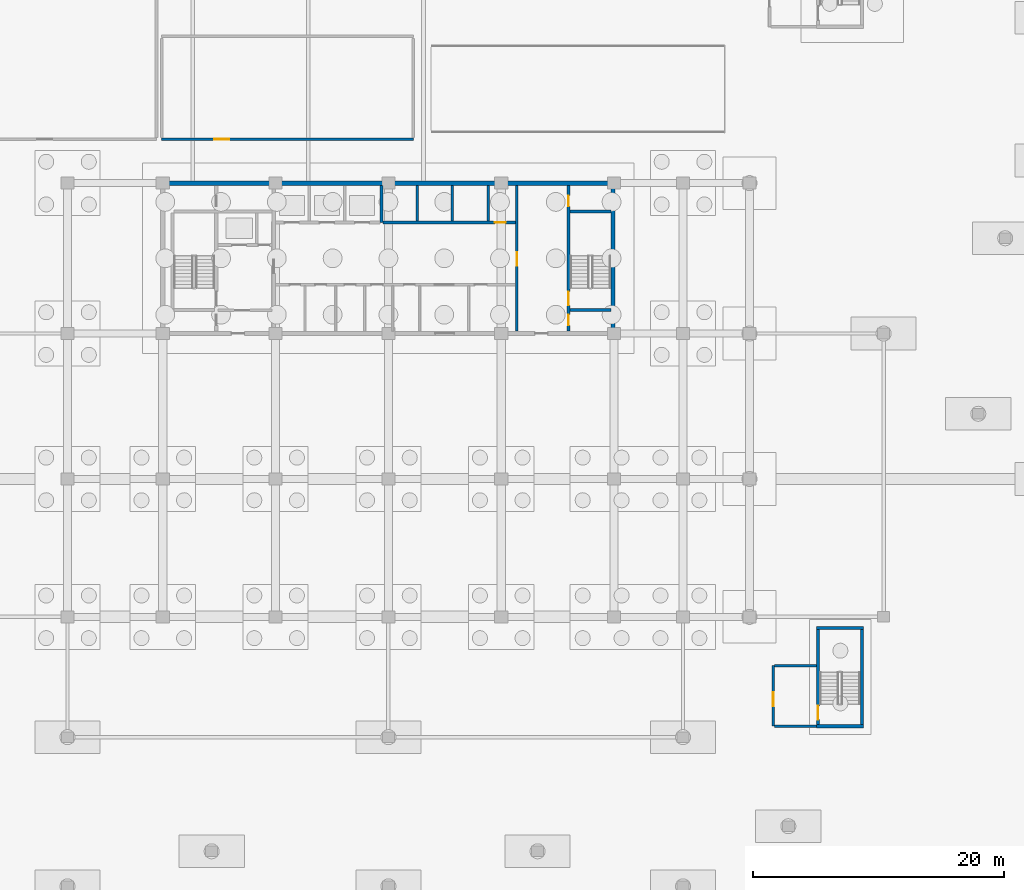
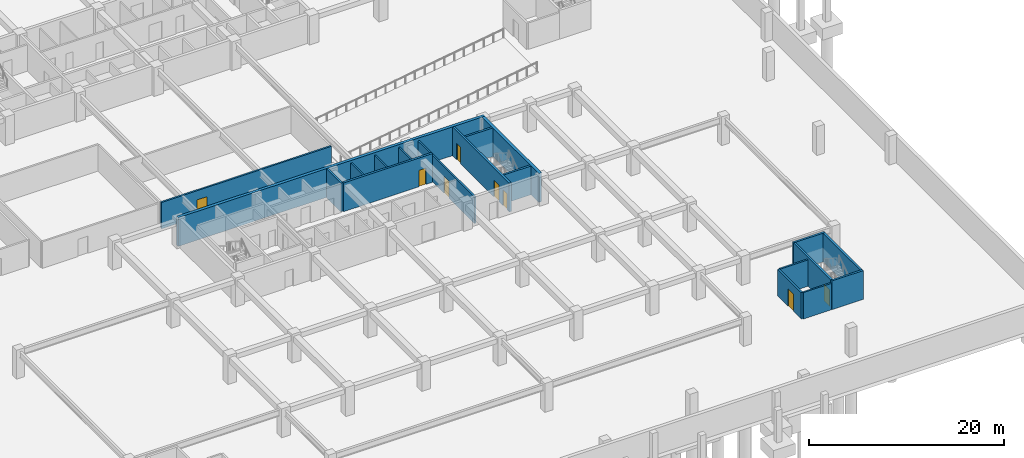
# One storey, part 11 of 26: 19 walls, 8 doors, 8 openings.
"""IFC4 building model written with IfcOpenShell, lengths in metres."""

from ifc_helpers import new_model, si_unit, direction, frame, frame_2d, origin, place, context, subcontext, project, spatial, rectangle, extrude, material, layer, layer_set, type_object, element, fill, save


model = new_model("IFC4")

# Units and contexts
model_context = context("Model", 3, precision=1e-05, world=origin(), true_north=direction((0.0, 1.0)))
body_context = subcontext(model_context, "Body", "Model", "MODEL_VIEW")
ifc_project = project(units=[si_unit("LENGTHUNIT", "METRE"), si_unit("AREAUNIT", "SQUARE_METRE"), si_unit("VOLUMEUNIT", "CUBIC_METRE"), si_unit("PLANEANGLEUNIT", "RADIAN"), si_unit("MASSUNIT", "GRAM", prefix="KILO")], contexts=[model_context])

# Site, building, storey
site_placement = place(None, origin())
site = spatial("IfcSite", under=ifc_project, at=site_placement, CompositionType="ELEMENT")
building_placement = place(site_placement, origin())
building = spatial("IfcBuilding", under=site, at=building_placement, Name="Korimba Cascade Residences", CompositionType="ELEMENT")
storey_placement = place(building_placement, frame((0.0, 0.0, -10.800048828125)))
storey = spatial("IfcBuildingStorey", under=building, at=storey_placement, Name="B03", CompositionType="ELEMENT", Elevation=-10.800048828125)

# Walls
ifc_material_1 = material(Name="Concrete C65/80", Category="concrete")
ifc_layer_1 = layer(ifc_material_1, 0.35009765625)
ifc_layer_set_1 = layer_set([ifc_layer_1], Name="Concrete C65/80")
wall_type_1 = type_object("IfcWallType", Name="WAL-CORE-350", PredefinedType="SHEAR", material=ifc_layer_set_1)
wall_1_placement = place(storey_placement, frame((81.925048828125, 30.39990234375, 0.0), z_axis=(0.0, 0.0, 1.0), x_axis=(1.0, 0.0, 0.0)))
element("IfcWall", 1, at=wall_1_placement, inside=storey, type_object=wall_type_1, Name="B03 Core Shear Wall CW-B03-T2-N", PredefinedType="SHEAR", context=body_context, shape_type="SweptSolid", body=[
    extrude(rectangle(XDim=36.264892578125, YDim=0.35009765625, at=frame_2d((18.13232421875, 0.0))), origin(), (0.0, 0.0, 1.0), 3.60009765625),
])
wall_2_placement = place(storey_placement, frame((118.014892578125, 18.574951171875, 0.0), z_axis=(0.0, 0.0, 1.0), x_axis=(0.0, 1.0, 0.0)))
element("IfcWall", 2, at=wall_2_placement, inside=storey, type_object=wall_type_1, Name="B03 Core Shear Wall CW-B03-T2-E", PredefinedType="SHEAR", context=body_context, shape_type="SweptSolid", body=[
    extrude(rectangle(XDim=11.650146484375, YDim=0.35009765625, at=frame_2d((5.8251953125, 0.0))), origin(), (0.0, 0.0, 1.0), 3.60009765625),
])
ifc_material_2 = material(Name="Concrete C40/50", Category="concrete")
ifc_layer_2 = layer(ifc_material_2, 0.199951171875)
ifc_layer_set_2 = layer_set([ifc_layer_2], Name="Concrete C40/50")
wall_type_2 = type_object("IfcWallType", Name="WAL-PART-200", PredefinedType="PARTITIONING", material=ifc_layer_set_2)
for number, where, z_axis, x_axis, name in (
    (3, (102.39990234375, 27.3798828125, 0.0), (0.0, 0.0, 1.0), (0.0, 1.0, 0.0), "B03 Partition Wall CW-B03-T2-B2D1"),
    (4, (105.199951171875, 27.3798828125, 0.0), (0.0, 0.0, 1.0), (0.0, 1.0, 0.0), "B03 Partition Wall CW-B03-T2-B2D2"),
    (5, (108.050048828125, 27.3798828125, 0.0), (0.0, 0.0, 1.0), (0.0, 1.0, 0.0), "B03 Partition Wall CW-B03-T2-B2D3"),
):
    element("IfcWall", number, at=place(storey_placement, frame(where, z_axis=z_axis, x_axis=x_axis)), inside=storey, type_object=wall_type_2, Name=name, PredefinedType="PARTITIONING", context=body_context, shape_type="SweptSolid", body=[
        extrude(rectangle(XDim=2.820068359375, YDim=0.199951171875, at=frame_2d((1.41015625, 0.0))), origin(), (0.0, 0.0, 1.0), 3.300048828125),
    ])

# Wall, opening, door
wall_3_placement = place(storey_placement, frame((110.35009765625, 18.60009765625, 0.0), z_axis=(0.0, 0.0, 1.0), x_axis=(0.0, 1.0, 0.0)))
wall_3 = element("IfcWall", 6, at=wall_3_placement, inside=storey, type_object=wall_type_2, Name="B03 Partition Wall CW-B03-T2-LLEV", PredefinedType="PARTITIONING", context=body_context, shape_type="SweptSolid", body=[
    extrude(rectangle(XDim=11.599853515625, YDim=0.199951171875, at=frame_2d((5.7998046875, 0.0))), origin(), (0.0, 0.0, 1.0), 3.300048828125),
])
opening_1_placement = place(wall_3_placement, frame((5.199951171875, 0.0, 0.0)))
opening_1 = element("IfcOpeningElement", 7, at=opening_1_placement, cuts=wall_3, Name="Opening D-FD6", PredefinedType="OPENING", context=body_context, shape_type="SweptSolid", body=[
    extrude(rectangle(XDim=1.10009765625, YDim=2.14990234375, at=frame_2d((0.550048828125, 1.074951171875))), frame((0.0, 0.10986328125, 0.0), z_axis=(0.0, -1.0, 0.0), x_axis=(1.0, 0.0, 0.0)), (0.0, 0.0, 1.0), 0.219970703125),
])
ifc_material_3 = material(Name="Fire-Rated Timber Stair Lobby Door", Category="wood")
door_type_1 = type_object("IfcDoorType", Name="DR-FD90-1100", OperationType="NOTDEFINED", PredefinedType="DOOR", material=ifc_material_3)
door_1_placement = place(opening_1_placement, origin())
door_1 = element("IfcDoor", 8, at=door_1_placement, inside=storey, type_object=door_type_1, Name="B03 T2 Lift Lobby to East Stair Lobby Door", OperationType="SINGLE_SWING_LEFT", OverallHeight=2.14990234375, OverallWidth=1.10009765625, PredefinedType="DOOR", context=body_context, shape_type="SweptSolid", body=[
    extrude(rectangle(XDim=1.10009765625, YDim=2.14990234375, at=frame_2d((0.550048828125, 1.074951171875))), frame((0.0, 0.02490234375, 0.0), z_axis=(0.0, -1.0, 0.0), x_axis=(1.0, 0.0, 0.0)), (0.0, 0.0, 1.0), 0.050048828125),
])
fill(opening_1, door_1)

wall_4_placement = place(storey_placement, frame((130.800048828125, -12.925048828125, 0.0), z_axis=(0.0, 0.0, 1.0), x_axis=(0.0, 1.0, 0.0)))
wall_4 = element("IfcWall", 9, at=wall_4_placement, inside=storey, type_object=wall_type_2, Name="B03 Partition Wall CW-B03-PL6W", PredefinedType="PARTITIONING", context=body_context, shape_type="SweptSolid", body=[
    extrude(rectangle(XDim=4.824951171875, YDim=0.199951171875, at=frame_2d((2.41259765625, 0.0))), origin(), (0.0, 0.0, 1.0), 3.300048828125),
])
opening_2_placement = place(wall_4_placement, frame((1.60009765625, 0.0, 0.0)))
opening_2 = element("IfcOpeningElement", 10, at=opening_2_placement, cuts=wall_4, Name="Opening D-FD6", PredefinedType="OPENING", context=body_context, shape_type="SweptSolid", body=[
    extrude(rectangle(XDim=1.10009765625, YDim=2.14990234375, at=frame_2d((0.550048828125, 1.074951171875))), frame((0.0, 0.10986328125, 0.0), z_axis=(0.0, -1.0, 0.0), x_axis=(1.0, 0.0, 0.0)), (0.0, 0.0, 1.0), 0.219970703125),
])
door_2_placement = place(opening_2_placement, origin())
door_2 = element("IfcDoor", 11, at=door_2_placement, inside=storey, type_object=door_type_1, Name="B03 South-East Stair Vestibule Door", OperationType="SINGLE_SWING_RIGHT", OverallHeight=2.14990234375, OverallWidth=1.10009765625, PredefinedType="DOOR", context=body_context, shape_type="SweptSolid", body=[
    extrude(rectangle(XDim=1.10009765625, YDim=2.14990234375, at=frame_2d((0.550048828125, 1.074951171875))), frame((0.0, 0.02490234375, 0.0), z_axis=(0.0, -1.0, 0.0), x_axis=(1.0, 0.0, 0.0)), (0.0, 0.0, 1.0), 0.050048828125),
])
fill(opening_2, door_2)

# Walls
for number, where, z_axis, x_axis, name in (
    (12, (130.89990234375, -12.925048828125, 0.0), (0.0, 0.0, 1.0), (1.0, 0.0, 0.0), "B03 Partition Wall CW-B03-PL6S"),
    (13, (130.89990234375, -8.10009765625, 0.0), (0.0, 0.0, 1.0), (1.0, 0.0, 0.0), "B03 Partition Wall CW-B03-PL6N"),
):
    element("IfcWall", number, at=place(storey_placement, frame(where, z_axis=z_axis, x_axis=x_axis)), inside=storey, type_object=wall_type_2, Name=name, PredefinedType="PARTITIONING", context=body_context, shape_type="SweptSolid", body=[
        extrude(rectangle(XDim=3.35009765625, YDim=0.199951171875, at=frame_2d((1.675048828125, 0.0))), origin(), (0.0, 0.0, 1.0), 3.300048828125),
    ])

# Wall, opening, door
wall_5_placement = place(storey_placement, frame((82.0, 33.89990234375, 0.0), z_axis=(0.0, 0.0, 1.0), x_axis=(1.0, 0.0, 0.0)))
wall_5 = element("IfcWall", 14, at=wall_5_placement, inside=storey, type_object=wall_type_2, Name="B03 Partition Wall WAL-B03-HVSS", PredefinedType="PARTITIONING", context=body_context, shape_type="SweptSolid", body=[
    extrude(rectangle(XDim=20.10009765625, YDim=0.199951171875, at=frame_2d((10.050048828125, 0.0))), origin(), (0.0, 0.0, 1.0), 3.300048828125),
])
opening_3_placement = place(wall_5_placement, frame((4.199951171875, 0.0, 0.0)))
opening_3 = element("IfcOpeningElement", 15, at=opening_3_placement, cuts=wall_5, Name="Opening D-FD3", PredefinedType="OPENING", context=body_context, shape_type="SweptSolid", body=[
    extrude(rectangle(XDim=1.199951171875, YDim=2.14990234375, at=frame_2d((0.60009765625, 1.074951171875))), frame((0.0, 0.10986328125, 0.0), z_axis=(0.0, -1.0, 0.0), x_axis=(1.0, 0.0, 0.0)), (0.0, 0.0, 1.0), 0.219970703125),
])
ifc_material_4 = material(Name="Fire-Rated Steel Plant Door", Category="steel")
door_type_2 = type_object("IfcDoorType", Name="DR-FD120-1200", OperationType="NOTDEFINED", PredefinedType="DOOR", material=ifc_material_4)
door_3_placement = place(opening_3_placement, origin())
door_3 = element("IfcDoor", 16, at=door_3_placement, inside=storey, type_object=door_type_2, Name="B03 Switchroom Door", OperationType="SINGLE_SWING_RIGHT", OverallHeight=2.14990234375, OverallWidth=1.199951171875, PredefinedType="DOOR", context=body_context, shape_type="SweptSolid", body=[
    extrude(rectangle(XDim=1.199951171875, YDim=2.14990234375, at=frame_2d((0.60009765625, 1.074951171875))), frame((0.0, 0.02490234375, 0.0), z_axis=(0.0, -1.0, 0.0), x_axis=(1.0, 0.0, 0.0)), (0.0, 0.0, 1.0), 0.050048828125),
])
fill(opening_3, door_3)

# Wall
ifc_material_5 = material(Name="Concrete C50/60", Category="concrete")
ifc_layer_3 = layer(ifc_material_5, 0.25)
ifc_layer_set_3 = layer_set([ifc_layer_3], Name="Concrete C50/60")
wall_type_3 = type_object("IfcWallType", Name="WAL-SHAFT-250", PredefinedType="SHEAR", material=ifc_layer_set_3)
wall_6_placement = place(storey_placement, frame((99.550048828125, 27.25, 0.0), z_axis=(0.0, 0.0, 1.0), x_axis=(0.0, 1.0, 0.0)))
element("IfcWall", 17, at=wall_6_placement, inside=storey, type_object=wall_type_3, Name="B03 Core Shear Wall CW-B03-T2-B12DIV", PredefinedType="SHEAR", context=body_context, shape_type="SweptSolid", body=[
    extrude(rectangle(XDim=2.949951171875, YDim=0.25, at=frame_2d((1.47509765625, 0.0))), origin(), (0.0, 0.0, 1.0), 3.60009765625),
])

# Wall, opening, door
wall_7_placement = place(storey_placement, frame((99.679931640625, 27.25, 0.0), z_axis=(0.0, 0.0, 1.0), x_axis=(1.0, 0.0, 0.0)))
wall_7 = element("IfcWall", 18, at=wall_7_placement, inside=storey, type_object=wall_type_3, Name="B03 Core Shear Wall CW-B03-T2-B2S", PredefinedType="SHEAR", context=body_context, shape_type="SweptSolid", body=[
    extrude(rectangle(XDim=10.5400390625, YDim=0.25, at=frame_2d((5.27001953125, 0.0))), origin(), (0.0, 0.0, 1.0), 3.60009765625),
])
opening_4_placement = place(wall_7_placement, frame((8.919921875, 0.0, 0.0)))
opening_4 = element("IfcOpeningElement", 19, at=opening_4_placement, cuts=wall_7, Name="Opening D-RS1", PredefinedType="OPENING", context=body_context, shape_type="SweptSolid", body=[
    extrude(rectangle(XDim=0.85009765625, YDim=2.050048828125, at=frame_2d((0.425048828125, 1.02490234375))), frame((0.0, 0.135009765625, 0.0), z_axis=(0.0, -1.0, 0.0), x_axis=(1.0, 0.0, 0.0)), (0.0, 0.0, 1.0), 0.27001953125),
])
ifc_material_6 = material(Name="Fire-Rated Steel Riser Access Door", Category="steel")
door_type_3 = type_object("IfcDoorType", Name="DR-FD60-850", OperationType="NOTDEFINED", PredefinedType="DOOR", material=ifc_material_6)
door_4_placement = place(opening_4_placement, origin())
door_4 = element("IfcDoor", 20, at=door_4_placement, inside=storey, type_object=door_type_3, Name="B03 T2 Duct Door", OperationType="SINGLE_SWING_RIGHT", OverallHeight=2.050048828125, OverallWidth=0.85009765625, PredefinedType="DOOR", context=body_context, shape_type="SweptSolid", body=[
    extrude(rectangle(XDim=0.85009765625, YDim=2.050048828125, at=frame_2d((0.425048828125, 1.02490234375))), frame((0.0, 0.02490234375, 0.0), z_axis=(0.0, -1.0, 0.0), x_axis=(1.0, 0.0, 0.0)), (0.0, 0.0, 1.0), 0.050048828125),
])
fill(opening_4, door_4)

# Wall, openings, doors
wall_8_placement = place(storey_placement, frame((114.47509765625, 18.60009765625, 0.0), z_axis=(0.0, 0.0, 1.0), x_axis=(0.0, 1.0, 0.0)))
wall_8 = element("IfcWall", 21, at=wall_8_placement, inside=storey, type_object=wall_type_3, Name="B03 Core Shear Wall CW-B03-T2-STE2W", PredefinedType="SHEAR", context=body_context, shape_type="SweptSolid", body=[
    extrude(rectangle(XDim=11.599853515625, YDim=0.25, at=frame_2d((5.7998046875, 0.0))), origin(), (0.0, 0.0, 1.0), 3.60009765625),
])
opening_5_placement = place(wall_8_placement, frame((0.449951171875, 0.0, 0.0)))
opening_5 = element("IfcOpeningElement", 22, at=opening_5_placement, cuts=wall_8, Name="Opening D-RS1", PredefinedType="OPENING", context=body_context, shape_type="SweptSolid", body=[
    extrude(rectangle(XDim=0.85009765625, YDim=2.050048828125, at=frame_2d((0.425048828125, 1.02490234375))), frame((0.0, 0.135009765625, 0.0), z_axis=(0.0, -1.0, 0.0), x_axis=(1.0, 0.0, 0.0)), (0.0, 0.0, 1.0), 0.27001953125),
])
opening_6_placement = place(wall_8_placement, frame((2.050048828125, 0.0, 0.0)))
opening_6 = element("IfcOpeningElement", 23, at=opening_6_placement, cuts=wall_8, Name="Opening D-FD1", PredefinedType="OPENING", context=body_context, shape_type="SweptSolid", body=[
    extrude(rectangle(XDim=1.10009765625, YDim=2.10009765625, at=frame_2d((0.550048828125, 1.050048828125))), frame((0.0, 0.135009765625, 0.0), z_axis=(0.0, -1.0, 0.0), x_axis=(1.0, 0.0, 0.0)), (0.0, 0.0, 1.0), 0.27001953125),
])
opening_7_placement = place(wall_8_placement, frame((9.949951171875, 0.0, 0.0)))
opening_7 = element("IfcOpeningElement", 24, at=opening_7_placement, cuts=wall_8, Name="Opening D-RS1", PredefinedType="OPENING", context=body_context, shape_type="SweptSolid", body=[
    extrude(rectangle(XDim=0.85009765625, YDim=2.050048828125, at=frame_2d((0.425048828125, 1.02490234375))), frame((0.0, 0.135009765625, 0.0), z_axis=(0.0, -1.0, 0.0), x_axis=(1.0, 0.0, 0.0)), (0.0, 0.0, 1.0), 0.27001953125),
])
ifc_material_7 = material(Name="Fire-Rated Steel Core Door", Category="steel")
door_type_4 = type_object("IfcDoorType", Name="DR-FD120-1100", OperationType="NOTDEFINED", PredefinedType="DOOR", material=ifc_material_7)
door_5_placement = place(opening_6_placement, origin())
door_5 = element("IfcDoor", 25, at=door_5_placement, inside=storey, type_object=door_type_4, Name="B03 Fire Stair ST-E2 Door", OperationType="SINGLE_SWING_LEFT", OverallHeight=2.10009765625, OverallWidth=1.10009765625, PredefinedType="DOOR", context=body_context, shape_type="SweptSolid", body=[
    extrude(rectangle(XDim=1.10009765625, YDim=2.10009765625, at=frame_2d((0.550048828125, 1.050048828125))), frame((0.0, 0.02490234375, 0.0), z_axis=(0.0, -1.0, 0.0), x_axis=(1.0, 0.0, 0.0)), (0.0, 0.0, 1.0), 0.050048828125),
])
fill(opening_6, door_5)
door_6_placement = place(opening_5_placement, origin())
door_6 = element("IfcDoor", 26, at=door_6_placement, inside=storey, type_object=door_type_3, Name="B03 T2 East Hydrant Door", OperationType="SINGLE_SWING_RIGHT", OverallHeight=2.050048828125, OverallWidth=0.85009765625, PredefinedType="DOOR", context=body_context, shape_type="SweptSolid", body=[
    extrude(rectangle(XDim=0.85009765625, YDim=2.050048828125, at=frame_2d((0.425048828125, 1.02490234375))), frame((0.0, 0.02490234375, 0.0), z_axis=(0.0, -1.0, 0.0), x_axis=(1.0, 0.0, 0.0)), (0.0, 0.0, 1.0), 0.050048828125),
])
fill(opening_5, door_6)
door_7_placement = place(opening_7_placement, origin())
door_7 = element("IfcDoor", 27, at=door_7_placement, inside=storey, type_object=door_type_3, Name="B03 T2 East Riser Door", OperationType="SINGLE_SWING_RIGHT", OverallHeight=2.050048828125, OverallWidth=0.85009765625, PredefinedType="DOOR", context=body_context, shape_type="SweptSolid", body=[
    extrude(rectangle(XDim=0.85009765625, YDim=2.050048828125, at=frame_2d((0.425048828125, 1.02490234375))), frame((0.0, 0.02490234375, 0.0), z_axis=(0.0, -1.0, 0.0), x_axis=(1.0, 0.0, 0.0)), (0.0, 0.0, 1.0), 0.050048828125),
])
fill(opening_7, door_7)

# Walls
for number, where, z_axis, x_axis, name in (
    (28, (114.60009765625, 20.27490234375, 0.0), (0.0, 0.0, 1.0), (1.0, 0.0, 0.0), "B03 Core Shear Wall CW-B03-T2-STE2S"),
    (29, (114.60009765625, 28.125, 0.0), (0.0, 0.0, 1.0), (1.0, 0.0, 0.0), "B03 Core Shear Wall CW-B03-T2-STE2N"),
):
    element("IfcWall", number, at=place(storey_placement, frame(where, z_axis=z_axis, x_axis=x_axis)), inside=storey, type_object=wall_type_3, Name=name, PredefinedType="SHEAR", context=body_context, shape_type="SweptSolid", body=[
        extrude(rectangle(XDim=3.239990234375, YDim=0.25, at=frame_2d((1.6201171875, 0.0))), origin(), (0.0, 0.0, 1.0), 3.60009765625),
    ])

# Wall, opening, door
wall_9_placement = place(storey_placement, frame((134.375, -12.800048828125, 0.0), z_axis=(0.0, 0.0, 1.0), x_axis=(0.0, 1.0, 0.0)))
wall_9 = element("IfcWall", 30, at=wall_9_placement, inside=storey, type_object=wall_type_3, Name="B03 Core Shear Wall CW-B03-STP6W", PredefinedType="SHEAR", context=body_context, shape_type="SweptSolid", body=[
    extrude(rectangle(XDim=7.60009765625, YDim=0.25, at=frame_2d((3.800048828125, 0.0))), origin(), (0.0, 0.0, 1.0), 3.60009765625),
])
opening_8_placement = place(wall_9_placement, frame((0.39990234375, 0.0, 0.0)))
opening_8 = element("IfcOpeningElement", 31, at=opening_8_placement, cuts=wall_9, Name="Opening D-FD1", PredefinedType="OPENING", context=body_context, shape_type="SweptSolid", body=[
    extrude(rectangle(XDim=1.10009765625, YDim=2.10009765625, at=frame_2d((0.550048828125, 1.050048828125))), frame((0.0, 0.135009765625, 0.0), z_axis=(0.0, -1.0, 0.0), x_axis=(1.0, 0.0, 0.0)), (0.0, 0.0, 1.0), 0.27001953125),
])
door_8_placement = place(opening_8_placement, origin())
door_8 = element("IfcDoor", 32, at=door_8_placement, inside=storey, type_object=door_type_4, Name="B03 Podium Stair ST-P6 Door", OperationType="SINGLE_SWING_LEFT", OverallHeight=2.10009765625, OverallWidth=1.10009765625, PredefinedType="DOOR", context=body_context, shape_type="SweptSolid", body=[
    extrude(rectangle(XDim=1.10009765625, YDim=2.10009765625, at=frame_2d((0.550048828125, 1.050048828125))), frame((0.0, 0.02490234375, 0.0), z_axis=(0.0, -1.0, 0.0), x_axis=(1.0, 0.0, 0.0)), (0.0, 0.0, 1.0), 0.050048828125),
])
fill(opening_8, door_8)

# Walls
wall_10_placement = place(storey_placement, frame((137.864990234375, -12.800048828125, 0.0), z_axis=(0.0, 0.0, 1.0), x_axis=(0.0, 1.0, 0.0)))
element("IfcWall", 33, at=wall_10_placement, inside=storey, type_object=wall_type_3, Name="B03 Core Shear Wall CW-B03-STP6E", PredefinedType="SHEAR", context=body_context, shape_type="SweptSolid", body=[
    extrude(rectangle(XDim=7.60009765625, YDim=0.25, at=frame_2d((3.800048828125, 0.0))), origin(), (0.0, 0.0, 1.0), 3.60009765625),
])
for number, where, z_axis, x_axis, name in (
    (34, (134.25, -12.925048828125, 0.0), (0.0, 0.0, 1.0), (1.0, 0.0, 0.0), "B03 Core Shear Wall CW-B03-STP6S"),
    (35, (134.25, -5.074951171875, 0.0), (0.0, 0.0, 1.0), (1.0, 0.0, 0.0), "B03 Core Shear Wall CW-B03-STP6N"),
):
    element("IfcWall", number, at=place(storey_placement, frame(where, z_axis=z_axis, x_axis=x_axis)), inside=storey, type_object=wall_type_3, Name=name, PredefinedType="SHEAR", context=body_context, shape_type="SweptSolid", body=[
        extrude(rectangle(XDim=3.739990234375, YDim=0.25, at=frame_2d((1.8701171875, 0.0))), origin(), (0.0, 0.0, 1.0), 3.60009765625),
    ])

save(model, "model.ifc")
